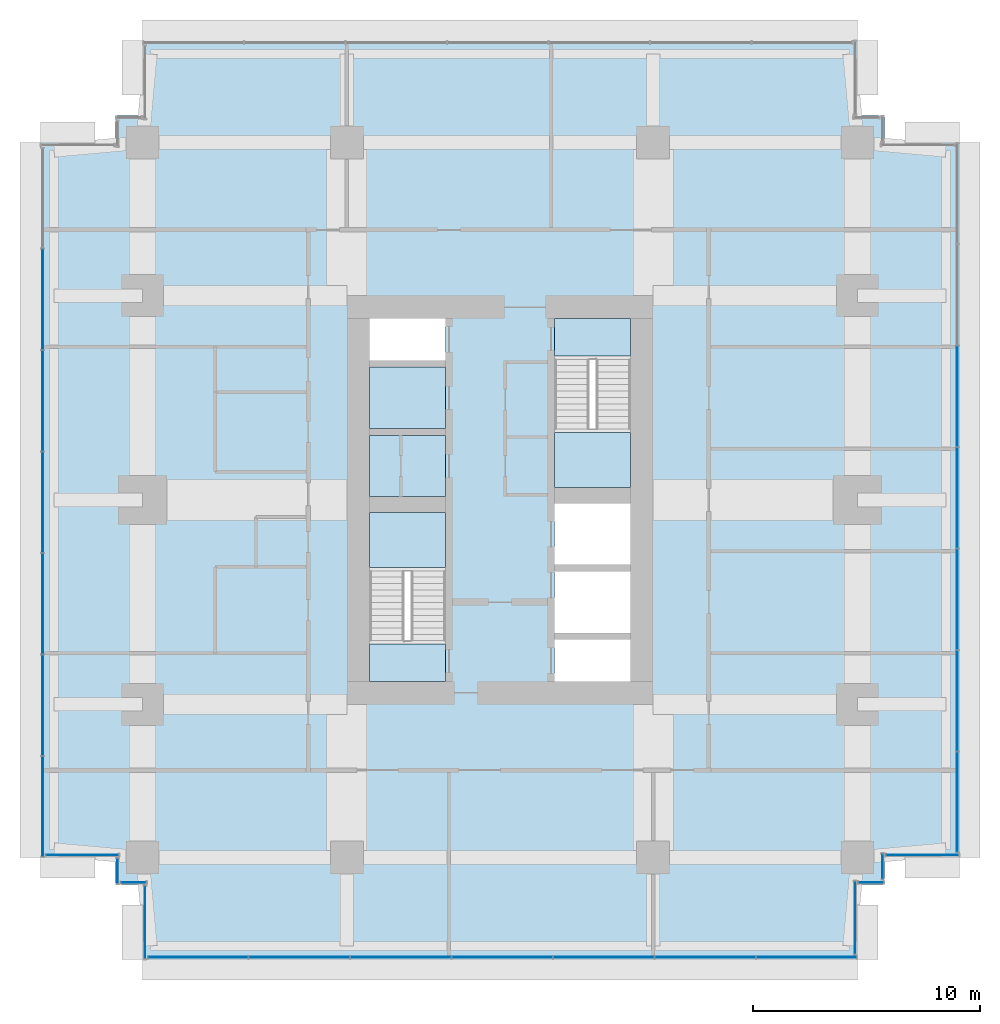
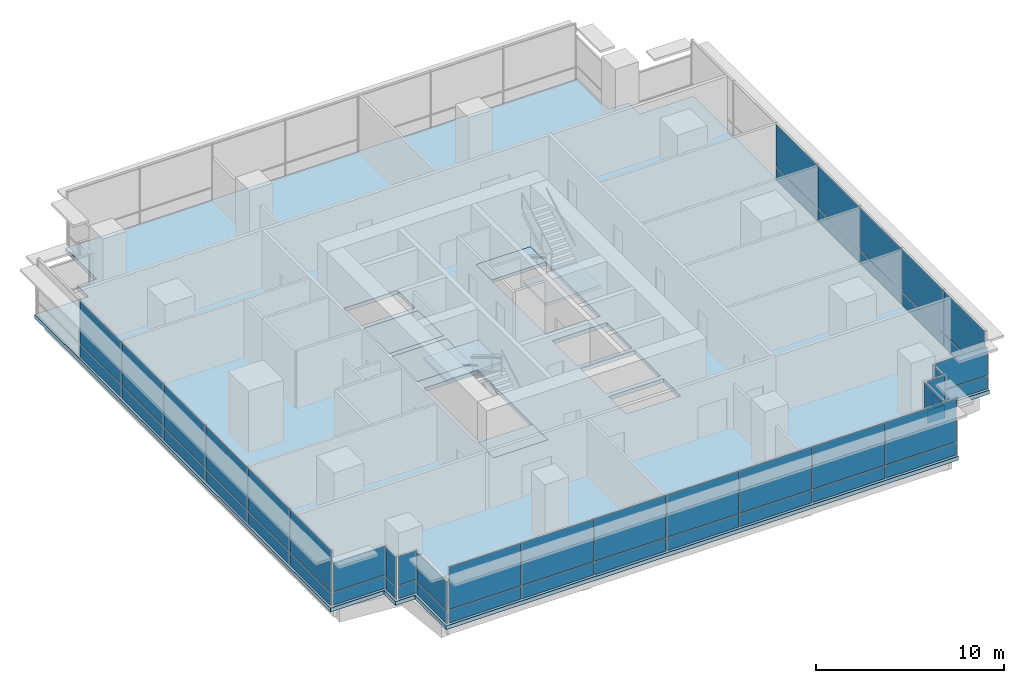
# One storey, part 10 of 14: 52 plates, 7 slabs, 13 elements without a shape of their own.
"""IFC4 building model written with IfcOpenShell, lengths in metres."""

from ifc_helpers import new_model, si_unit, direction, frame, origin, origin_2d, place, context, subcontext, project, spatial, polyline, rectangle, outline, extrude, material, layer, layer_set, type_object, element, aggregate, save


model = new_model("IFC4")

# Units and contexts
model_context = context("Model", 3, precision=1e-05, world=origin(), true_north=direction((0.0, 1.0)))
body_context = subcontext(model_context, "Body", "Model", "MODEL_VIEW")
ifc_project = project(units=[si_unit("LENGTHUNIT", "METRE"), si_unit("AREAUNIT", "SQUARE_METRE"), si_unit("VOLUMEUNIT", "CUBIC_METRE"), si_unit("PLANEANGLEUNIT", "RADIAN"), si_unit("MASSUNIT", "GRAM", prefix="KILO")], contexts=[model_context])

# Site, building, storey
site_placement = place(None, origin())
site = spatial("IfcSite", under=ifc_project, at=site_placement, CompositionType="ELEMENT")
building_placement = place(site_placement, origin())
building = spatial("IfcBuilding", under=site, at=building_placement, Name="Namib Vertical Campus", CompositionType="ELEMENT")
storey_placement = place(building_placement, frame((0.0, 0.0, 269.0)))
storey = spatial("IfcBuildingStorey", under=building, at=storey_placement, Name="L63", CompositionType="ELEMENT", Elevation=269.0)

# Curtain wall, plates
ifc_material_1 = material(Name="Black aluminium curtain wall", Category="aluminium")
ifc_layer_1 = layer(ifc_material_1, 0.199951171875)
ifc_layer_set_1 = layer_set([ifc_layer_1], Name="Lounge bench curtain wall CW-LB")
curtain_wall_type = type_object("IfcCurtainWallType", Name="Lounge bench curtain wall CW-LB", PredefinedType="USERDEFINED", material=ifc_layer_set_1)
curtain_wall_1_placement = place(storey_placement, origin())
curtain_wall_1 = element("IfcCurtainWall", 1, at=curtain_wall_1_placement, inside=storey, type_object=curtain_wall_type, Name="Curtain wall CW-LB L63 F01-1", ObjectType="CURTAIN WALL", PredefinedType="USERDEFINED")
ifc_material_2 = material(Name="Dark tinted glass", Category="glass")
ifc_layer_2 = layer(ifc_material_2, 0.028076171875)
ifc_layer_set_2 = layer_set([ifc_layer_2], Name="Dark solar glass panel 28")
plate_type = type_object("IfcPlateType", Name="Dark solar glass panel 28", PredefinedType="CURTAIN_PANEL", material=ifc_layer_set_2)
plate_1_placement = place(storey_placement, frame((6.95068359375, 0.10009765625, 0.06005859375), z_axis=(0.0, 0.0, 1.0), x_axis=(1.0, 0.0, 0.0)))
plate_1 = element("IfcPlate", 2, at=plate_1_placement, type_object=plate_type, Name="CW-LB panel 1.1", PredefinedType="CURTAIN_PANEL", context=body_context, shape_type="SweptSolid", body=[
    extrude(rectangle(XDim=4.38134765625, YDim=0.028076171875, at=origin_2d()), origin(), (0.0, 0.0, 1.0), 0.81005859375),
])
plate_2_placement = place(storey_placement, frame((6.95068359375, 0.10009765625, 0.93017578125), z_axis=(0.0, 0.0, 1.0), x_axis=(1.0, 0.0, 0.0)))
plate_2 = element("IfcPlate", 3, at=plate_2_placement, type_object=plate_type, Name="CW-LB panel 1.2", PredefinedType="CURTAIN_PANEL", context=body_context, shape_type="SweptSolid", body=[
    extrude(rectangle(XDim=4.38134765625, YDim=0.028076171875, at=origin_2d()), origin(), (0.0, 0.0, 1.0), 2.760009765625),
])
plate_3_placement = place(storey_placement, frame((11.4072265625, 0.10009765625, 0.06005859375), z_axis=(0.0, 0.0, 1.0), x_axis=(1.0, 0.0, 0.0)))
plate_3 = element("IfcPlate", 4, at=plate_3_placement, type_object=plate_type, Name="CW-LB panel 2.1", PredefinedType="CURTAIN_PANEL", context=body_context, shape_type="SweptSolid", body=[
    extrude(rectangle(XDim=4.411376953125, YDim=0.028076171875, at=origin_2d()), origin(), (0.0, 0.0, 1.0), 0.81005859375),
])
plate_4_placement = place(storey_placement, frame((11.4072265625, 0.10009765625, 0.93017578125), z_axis=(0.0, 0.0, 1.0), x_axis=(1.0, 0.0, 0.0)))
plate_4 = element("IfcPlate", 5, at=plate_4_placement, type_object=plate_type, Name="CW-LB panel 2.2", PredefinedType="CURTAIN_PANEL", context=body_context, shape_type="SweptSolid", body=[
    extrude(rectangle(XDim=4.411376953125, YDim=0.028076171875, at=origin_2d()), origin(), (0.0, 0.0, 1.0), 2.760009765625),
])
plate_5_placement = place(storey_placement, frame((15.878662109375, 0.10009765625, 0.06005859375), z_axis=(0.0, 0.0, 1.0), x_axis=(1.0, 0.0, 0.0)))
plate_5 = element("IfcPlate", 6, at=plate_5_placement, type_object=plate_type, Name="CW-LB panel 3.1", PredefinedType="CURTAIN_PANEL", context=body_context, shape_type="SweptSolid", body=[
    extrude(rectangle(XDim=4.411376953125, YDim=0.028076171875, at=origin_2d()), origin(), (0.0, 0.0, 1.0), 0.81005859375),
])
plate_6_placement = place(storey_placement, frame((15.878662109375, 0.10009765625, 0.93017578125), z_axis=(0.0, 0.0, 1.0), x_axis=(1.0, 0.0, 0.0)))
plate_6 = element("IfcPlate", 7, at=plate_6_placement, type_object=plate_type, Name="CW-LB panel 3.2", PredefinedType="CURTAIN_PANEL", context=body_context, shape_type="SweptSolid", body=[
    extrude(rectangle(XDim=4.411376953125, YDim=0.028076171875, at=origin_2d()), origin(), (0.0, 0.0, 1.0), 2.760009765625),
])
plate_7_placement = place(storey_placement, frame((20.35009765625, 0.10009765625, 0.06005859375), z_axis=(0.0, 0.0, 1.0), x_axis=(1.0, 0.0, 0.0)))
plate_7 = element("IfcPlate", 8, at=plate_7_placement, type_object=plate_type, Name="CW-LB panel 4.1", PredefinedType="CURTAIN_PANEL", context=body_context, shape_type="SweptSolid", body=[
    extrude(rectangle(XDim=4.411376953125, YDim=0.028076171875, at=origin_2d()), origin(), (0.0, 0.0, 1.0), 0.81005859375),
])
plate_8_placement = place(storey_placement, frame((20.35009765625, 0.10009765625, 0.93017578125), z_axis=(0.0, 0.0, 1.0), x_axis=(1.0, 0.0, 0.0)))
plate_8 = element("IfcPlate", 9, at=plate_8_placement, type_object=plate_type, Name="CW-LB panel 4.2", PredefinedType="CURTAIN_PANEL", context=body_context, shape_type="SweptSolid", body=[
    extrude(rectangle(XDim=4.411376953125, YDim=0.028076171875, at=origin_2d()), origin(), (0.0, 0.0, 1.0), 2.760009765625),
])
plate_9_placement = place(storey_placement, frame((24.821533203125, 0.10009765625, 0.06005859375), z_axis=(0.0, 0.0, 1.0), x_axis=(1.0, 0.0, 0.0)))
plate_9 = element("IfcPlate", 10, at=plate_9_placement, type_object=plate_type, Name="CW-LB panel 5.1", PredefinedType="CURTAIN_PANEL", context=body_context, shape_type="SweptSolid", body=[
    extrude(rectangle(XDim=4.411376953125, YDim=0.028076171875, at=origin_2d()), origin(), (0.0, 0.0, 1.0), 0.81005859375),
])
plate_10_placement = place(storey_placement, frame((24.821533203125, 0.10009765625, 0.93017578125), z_axis=(0.0, 0.0, 1.0), x_axis=(1.0, 0.0, 0.0)))
plate_10 = element("IfcPlate", 11, at=plate_10_placement, type_object=plate_type, Name="CW-LB panel 5.2", PredefinedType="CURTAIN_PANEL", context=body_context, shape_type="SweptSolid", body=[
    extrude(rectangle(XDim=4.411376953125, YDim=0.028076171875, at=origin_2d()), origin(), (0.0, 0.0, 1.0), 2.760009765625),
])
plate_11_placement = place(storey_placement, frame((29.29296875, 0.10009765625, 0.06005859375), z_axis=(0.0, 0.0, 1.0), x_axis=(1.0, 0.0, 0.0)))
plate_11 = element("IfcPlate", 12, at=plate_11_placement, type_object=plate_type, Name="CW-LB panel 6.1", PredefinedType="CURTAIN_PANEL", context=body_context, shape_type="SweptSolid", body=[
    extrude(rectangle(XDim=4.411376953125, YDim=0.028076171875, at=origin_2d()), origin(), (0.0, 0.0, 1.0), 0.81005859375),
])
plate_12_placement = place(storey_placement, frame((29.29296875, 0.10009765625, 0.93017578125), z_axis=(0.0, 0.0, 1.0), x_axis=(1.0, 0.0, 0.0)))
plate_12 = element("IfcPlate", 13, at=plate_12_placement, type_object=plate_type, Name="CW-LB panel 6.2", PredefinedType="CURTAIN_PANEL", context=body_context, shape_type="SweptSolid", body=[
    extrude(rectangle(XDim=4.411376953125, YDim=0.028076171875, at=origin_2d()), origin(), (0.0, 0.0, 1.0), 2.760009765625),
])
plate_13_placement = place(storey_placement, frame((33.749267578125, 0.10009765625, 0.06005859375), z_axis=(0.0, 0.0, 1.0), x_axis=(1.0, 0.0, 0.0)))
plate_13 = element("IfcPlate", 14, at=plate_13_placement, type_object=plate_type, Name="CW-LB panel 7.1", PredefinedType="CURTAIN_PANEL", context=body_context, shape_type="SweptSolid", body=[
    extrude(rectangle(XDim=4.38134765625, YDim=0.028076171875, at=origin_2d()), origin(), (0.0, 0.0, 1.0), 0.81005859375),
])
plate_14_placement = place(storey_placement, frame((33.749267578125, 0.10009765625, 0.93017578125), z_axis=(0.0, 0.0, 1.0), x_axis=(1.0, 0.0, 0.0)))
plate_14 = element("IfcPlate", 15, at=plate_14_placement, type_object=plate_type, Name="CW-LB panel 7.2", PredefinedType="CURTAIN_PANEL", context=body_context, shape_type="SweptSolid", body=[
    extrude(rectangle(XDim=4.38134765625, YDim=0.028076171875, at=origin_2d()), origin(), (0.0, 0.0, 1.0), 2.760009765625),
])
aggregate(curtain_wall_1, [plate_1, plate_2, plate_3, plate_4, plate_5, plate_6, plate_7, plate_8, plate_9, plate_10, plate_11, plate_12, plate_13, plate_14])

curtain_wall_2_placement = place(storey_placement, origin())
curtain_wall_2 = element("IfcCurtainWall", 16, at=curtain_wall_2_placement, inside=storey, type_object=curtain_wall_type, Name="Curtain wall CW-LB L63 F02-1", ObjectType="CURTAIN WALL", PredefinedType="USERDEFINED")
plate_15_placement = place(storey_placement, frame((35.89990234375, 1.85009765625, 0.06005859375), z_axis=(0.0, 0.0, 1.0), x_axis=(0.0, 1.0, 0.0)))
plate_15 = element("IfcPlate", 17, at=plate_15_placement, type_object=plate_type, Name="CW-LB panel 1.1", PredefinedType="CURTAIN_PANEL", context=body_context, shape_type="SweptSolid", body=[
    extrude(rectangle(XDim=3.179931640625, YDim=0.028076171875, at=origin_2d()), origin(), (0.0, 0.0, 1.0), 0.81005859375),
])
plate_16_placement = place(storey_placement, frame((35.89990234375, 1.85009765625, 0.93017578125), z_axis=(0.0, 0.0, 1.0), x_axis=(0.0, 1.0, 0.0)))
plate_16 = element("IfcPlate", 18, at=plate_16_placement, type_object=plate_type, Name="CW-LB panel 1.2", PredefinedType="CURTAIN_PANEL", context=body_context, shape_type="SweptSolid", body=[
    extrude(rectangle(XDim=3.179931640625, YDim=0.028076171875, at=origin_2d()), origin(), (0.0, 0.0, 1.0), 1.860107421875),
])
aggregate(curtain_wall_2, [plate_15, plate_16])

curtain_wall_3_placement = place(storey_placement, origin())
curtain_wall_3 = element("IfcCurtainWall", 19, at=curtain_wall_3_placement, inside=storey, type_object=curtain_wall_type, Name="Curtain wall CW-LB L63 F03-1", ObjectType="CURTAIN WALL", PredefinedType="USERDEFINED")
plate_17_placement = place(storey_placement, frame((36.60009765625, 3.39990234375, 0.06005859375), z_axis=(0.0, 0.0, 1.0), x_axis=(1.0, 0.0, 0.0)))
plate_17 = element("IfcPlate", 20, at=plate_17_placement, type_object=plate_type, Name="CW-LB panel 1.1", PredefinedType="CURTAIN_PANEL", context=body_context, shape_type="SweptSolid", body=[
    extrude(rectangle(XDim=1.080078125, YDim=0.028076171875, at=origin_2d()), origin(), (0.0, 0.0, 1.0), 0.81005859375),
])
plate_18_placement = place(storey_placement, frame((36.60009765625, 3.39990234375, 0.93017578125), z_axis=(0.0, 0.0, 1.0), x_axis=(1.0, 0.0, 0.0)))
plate_18 = element("IfcPlate", 21, at=plate_18_placement, type_object=plate_type, Name="CW-LB panel 1.2", PredefinedType="CURTAIN_PANEL", context=body_context, shape_type="SweptSolid", body=[
    extrude(rectangle(XDim=1.080078125, YDim=0.028076171875, at=origin_2d()), origin(), (0.0, 0.0, 1.0), 1.860107421875),
])
aggregate(curtain_wall_3, [plate_17, plate_18])

curtain_wall_4_placement = place(storey_placement, origin())
curtain_wall_4 = element("IfcCurtainWall", 22, at=curtain_wall_4_placement, inside=storey, type_object=curtain_wall_type, Name="Curtain wall CW-LB L63 F04-1", ObjectType="CURTAIN WALL", PredefinedType="USERDEFINED")
plate_19_placement = place(storey_placement, frame((37.10009765625, 4.10009765625, 0.06005859375), z_axis=(0.0, 0.0, 1.0), x_axis=(0.0, 1.0, 0.0)))
plate_19 = element("IfcPlate", 23, at=plate_19_placement, type_object=plate_type, Name="CW-LB panel 1.1", PredefinedType="CURTAIN_PANEL", context=body_context, shape_type="SweptSolid", body=[
    extrude(rectangle(XDim=1.080078125, YDim=0.028076171875, at=origin_2d()), origin(), (0.0, 0.0, 1.0), 0.81005859375),
])
plate_20_placement = place(storey_placement, frame((37.10009765625, 4.10009765625, 0.93017578125), z_axis=(0.0, 0.0, 1.0), x_axis=(0.0, 1.0, 0.0)))
plate_20 = element("IfcPlate", 24, at=plate_20_placement, type_object=plate_type, Name="CW-LB panel 1.2", PredefinedType="CURTAIN_PANEL", context=body_context, shape_type="SweptSolid", body=[
    extrude(rectangle(XDim=1.080078125, YDim=0.028076171875, at=origin_2d()), origin(), (0.0, 0.0, 1.0), 1.860107421875),
])
aggregate(curtain_wall_4, [plate_19, plate_20])

curtain_wall_5_placement = place(storey_placement, origin())
curtain_wall_5 = element("IfcCurtainWall", 25, at=curtain_wall_5_placement, inside=storey, type_object=curtain_wall_type, Name="Curtain wall CW-LB L63 F05-1", ObjectType="CURTAIN WALL", PredefinedType="USERDEFINED")
plate_21_placement = place(storey_placement, frame((38.85009765625, 4.60009765625, 0.06005859375), z_axis=(0.0, 0.0, 1.0), x_axis=(1.0, 0.0, 0.0)))
plate_21 = element("IfcPlate", 26, at=plate_21_placement, type_object=plate_type, Name="CW-LB panel 1.1", PredefinedType="CURTAIN_PANEL", context=body_context, shape_type="SweptSolid", body=[
    extrude(rectangle(XDim=3.179931640625, YDim=0.028076171875, at=origin_2d()), origin(), (0.0, 0.0, 1.0), 0.81005859375),
])
plate_22_placement = place(storey_placement, frame((38.85009765625, 4.60009765625, 0.93017578125), z_axis=(0.0, 0.0, 1.0), x_axis=(1.0, 0.0, 0.0)))
plate_22 = element("IfcPlate", 27, at=plate_22_placement, type_object=plate_type, Name="CW-LB panel 1.2", PredefinedType="CURTAIN_PANEL", context=body_context, shape_type="SweptSolid", body=[
    extrude(rectangle(XDim=3.179931640625, YDim=0.028076171875, at=origin_2d()), origin(), (0.0, 0.0, 1.0), 1.860107421875),
])
aggregate(curtain_wall_5, [plate_21, plate_22])

curtain_wall_6_placement = place(storey_placement, origin())
curtain_wall_6 = element("IfcCurtainWall", 28, at=curtain_wall_6_placement, inside=storey, type_object=curtain_wall_type, Name="Curtain wall CW-LB L63 F06-1", ObjectType="CURTAIN WALL", PredefinedType="USERDEFINED")
plate_23_placement = place(storey_placement, frame((40.39990234375, 6.95068359375, 0.06005859375), z_axis=(0.0, 0.0, 1.0), x_axis=(0.0, 1.0, 0.0)))
plate_23 = element("IfcPlate", 29, at=plate_23_placement, type_object=plate_type, Name="CW-LB panel 1.1", PredefinedType="CURTAIN_PANEL", context=body_context, shape_type="SweptSolid", body=[
    extrude(rectangle(XDim=4.38134765625, YDim=0.028076171875, at=origin_2d()), origin(), (0.0, 0.0, 1.0), 0.81005859375),
])
plate_24_placement = place(storey_placement, frame((40.39990234375, 6.95068359375, 0.93017578125), z_axis=(0.0, 0.0, 1.0), x_axis=(0.0, 1.0, 0.0)))
plate_24 = element("IfcPlate", 30, at=plate_24_placement, type_object=plate_type, Name="CW-LB panel 1.2", PredefinedType="CURTAIN_PANEL", context=body_context, shape_type="SweptSolid", body=[
    extrude(rectangle(XDim=4.38134765625, YDim=0.028076171875, at=origin_2d()), origin(), (0.0, 0.0, 1.0), 2.760009765625),
])
plate_25_placement = place(storey_placement, frame((40.39990234375, 11.4072265625, 0.06005859375), z_axis=(0.0, 0.0, 1.0), x_axis=(0.0, 1.0, 0.0)))
plate_25 = element("IfcPlate", 31, at=plate_25_placement, type_object=plate_type, Name="CW-LB panel 2.1", PredefinedType="CURTAIN_PANEL", context=body_context, shape_type="SweptSolid", body=[
    extrude(rectangle(XDim=4.411376953125, YDim=0.028076171875, at=origin_2d()), origin(), (0.0, 0.0, 1.0), 0.81005859375),
])
plate_26_placement = place(storey_placement, frame((40.39990234375, 11.4072265625, 0.93017578125), z_axis=(0.0, 0.0, 1.0), x_axis=(0.0, 1.0, 0.0)))
plate_26 = element("IfcPlate", 32, at=plate_26_placement, type_object=plate_type, Name="CW-LB panel 2.2", PredefinedType="CURTAIN_PANEL", context=body_context, shape_type="SweptSolid", body=[
    extrude(rectangle(XDim=4.411376953125, YDim=0.028076171875, at=origin_2d()), origin(), (0.0, 0.0, 1.0), 2.760009765625),
])
plate_27_placement = place(storey_placement, frame((40.39990234375, 15.878662109375, 0.06005859375), z_axis=(0.0, 0.0, 1.0), x_axis=(0.0, 1.0, 0.0)))
plate_27 = element("IfcPlate", 33, at=plate_27_placement, type_object=plate_type, Name="CW-LB panel 3.1", PredefinedType="CURTAIN_PANEL", context=body_context, shape_type="SweptSolid", body=[
    extrude(rectangle(XDim=4.411376953125, YDim=0.028076171875, at=origin_2d()), origin(), (0.0, 0.0, 1.0), 0.81005859375),
])
plate_28_placement = place(storey_placement, frame((40.39990234375, 15.878662109375, 0.93017578125), z_axis=(0.0, 0.0, 1.0), x_axis=(0.0, 1.0, 0.0)))
plate_28 = element("IfcPlate", 34, at=plate_28_placement, type_object=plate_type, Name="CW-LB panel 3.2", PredefinedType="CURTAIN_PANEL", context=body_context, shape_type="SweptSolid", body=[
    extrude(rectangle(XDim=4.411376953125, YDim=0.028076171875, at=origin_2d()), origin(), (0.0, 0.0, 1.0), 2.760009765625),
])
plate_29_placement = place(storey_placement, frame((40.39990234375, 20.35009765625, 0.06005859375), z_axis=(0.0, 0.0, 1.0), x_axis=(0.0, 1.0, 0.0)))
plate_29 = element("IfcPlate", 35, at=plate_29_placement, type_object=plate_type, Name="CW-LB panel 4.1", PredefinedType="CURTAIN_PANEL", context=body_context, shape_type="SweptSolid", body=[
    extrude(rectangle(XDim=4.411376953125, YDim=0.028076171875, at=origin_2d()), origin(), (0.0, 0.0, 1.0), 0.81005859375),
])
plate_30_placement = place(storey_placement, frame((40.39990234375, 20.35009765625, 0.93017578125), z_axis=(0.0, 0.0, 1.0), x_axis=(0.0, 1.0, 0.0)))
plate_30 = element("IfcPlate", 36, at=plate_30_placement, type_object=plate_type, Name="CW-LB panel 4.2", PredefinedType="CURTAIN_PANEL", context=body_context, shape_type="SweptSolid", body=[
    extrude(rectangle(XDim=4.411376953125, YDim=0.028076171875, at=origin_2d()), origin(), (0.0, 0.0, 1.0), 2.760009765625),
])
plate_31_placement = place(storey_placement, frame((40.39990234375, 24.821533203125, 0.06005859375), z_axis=(0.0, 0.0, 1.0), x_axis=(0.0, 1.0, 0.0)))
plate_31 = element("IfcPlate", 37, at=plate_31_placement, type_object=plate_type, Name="CW-LB panel 5.1", PredefinedType="CURTAIN_PANEL", context=body_context, shape_type="SweptSolid", body=[
    extrude(rectangle(XDim=4.411376953125, YDim=0.028076171875, at=origin_2d()), origin(), (0.0, 0.0, 1.0), 0.81005859375),
])
plate_32_placement = place(storey_placement, frame((40.39990234375, 24.821533203125, 0.93017578125), z_axis=(0.0, 0.0, 1.0), x_axis=(0.0, 1.0, 0.0)))
plate_32 = element("IfcPlate", 38, at=plate_32_placement, type_object=plate_type, Name="CW-LB panel 5.2", PredefinedType="CURTAIN_PANEL", context=body_context, shape_type="SweptSolid", body=[
    extrude(rectangle(XDim=4.411376953125, YDim=0.028076171875, at=origin_2d()), origin(), (0.0, 0.0, 1.0), 2.760009765625),
])
aggregate(curtain_wall_6, [plate_23, plate_24, plate_25, plate_26, plate_27, plate_28, plate_29, plate_30, plate_31, plate_32])

curtain_wall_7_placement = place(storey_placement, origin())
curtain_wall_7 = element("IfcCurtainWall", 39, at=curtain_wall_7_placement, inside=storey, type_object=curtain_wall_type, Name="Curtain wall CW-LB L63 F16-1", ObjectType="CURTAIN WALL", PredefinedType="USERDEFINED")
plate_33_placement = place(storey_placement, frame((0.10009765625, 29.0927734375, 0.06005859375), z_axis=(0.0, 0.0, 1.0), x_axis=(0.0, -1.0, 0.0)))
plate_33 = element("IfcPlate", 40, at=plate_33_placement, type_object=plate_type, Name="CW-LB panel 2.1", PredefinedType="CURTAIN_PANEL", context=body_context, shape_type="SweptSolid", body=[
    extrude(rectangle(XDim=4.411376953125, YDim=0.028076171875, at=origin_2d()), origin(), (0.0, 0.0, 1.0), 0.81005859375),
])
plate_34_placement = place(storey_placement, frame((0.10009765625, 29.0927734375, 0.93017578125), z_axis=(0.0, 0.0, 1.0), x_axis=(0.0, -1.0, 0.0)))
plate_34 = element("IfcPlate", 41, at=plate_34_placement, type_object=plate_type, Name="CW-LB panel 2.2", PredefinedType="CURTAIN_PANEL", context=body_context, shape_type="SweptSolid", body=[
    extrude(rectangle(XDim=4.411376953125, YDim=0.028076171875, at=origin_2d()), origin(), (0.0, 0.0, 1.0), 2.760009765625),
])
plate_35_placement = place(storey_placement, frame((0.10009765625, 24.621337890625, 0.06005859375), z_axis=(0.0, 0.0, 1.0), x_axis=(0.0, -1.0, 0.0)))
plate_35 = element("IfcPlate", 42, at=plate_35_placement, type_object=plate_type, Name="CW-LB panel 3.1", PredefinedType="CURTAIN_PANEL", context=body_context, shape_type="SweptSolid", body=[
    extrude(rectangle(XDim=4.411376953125, YDim=0.028076171875, at=origin_2d()), origin(), (0.0, 0.0, 1.0), 0.81005859375),
])
plate_36_placement = place(storey_placement, frame((0.10009765625, 24.621337890625, 0.93017578125), z_axis=(0.0, 0.0, 1.0), x_axis=(0.0, -1.0, 0.0)))
plate_36 = element("IfcPlate", 43, at=plate_36_placement, type_object=plate_type, Name="CW-LB panel 3.2", PredefinedType="CURTAIN_PANEL", context=body_context, shape_type="SweptSolid", body=[
    extrude(rectangle(XDim=4.411376953125, YDim=0.028076171875, at=origin_2d()), origin(), (0.0, 0.0, 1.0), 2.760009765625),
])
plate_37_placement = place(storey_placement, frame((0.10009765625, 20.14990234375, 0.06005859375), z_axis=(0.0, 0.0, 1.0), x_axis=(0.0, -1.0, 0.0)))
plate_37 = element("IfcPlate", 44, at=plate_37_placement, type_object=plate_type, Name="CW-LB panel 4.1", PredefinedType="CURTAIN_PANEL", context=body_context, shape_type="SweptSolid", body=[
    extrude(rectangle(XDim=4.411376953125, YDim=0.028076171875, at=origin_2d()), origin(), (0.0, 0.0, 1.0), 0.81005859375),
])
plate_38_placement = place(storey_placement, frame((0.10009765625, 20.14990234375, 0.93017578125), z_axis=(0.0, 0.0, 1.0), x_axis=(0.0, -1.0, 0.0)))
plate_38 = element("IfcPlate", 45, at=plate_38_placement, type_object=plate_type, Name="CW-LB panel 4.2", PredefinedType="CURTAIN_PANEL", context=body_context, shape_type="SweptSolid", body=[
    extrude(rectangle(XDim=4.411376953125, YDim=0.028076171875, at=origin_2d()), origin(), (0.0, 0.0, 1.0), 2.760009765625),
])
plate_39_placement = place(storey_placement, frame((0.10009765625, 15.678466796875, 0.06005859375), z_axis=(0.0, 0.0, 1.0), x_axis=(0.0, -1.0, 0.0)))
plate_39 = element("IfcPlate", 46, at=plate_39_placement, type_object=plate_type, Name="CW-LB panel 5.1", PredefinedType="CURTAIN_PANEL", context=body_context, shape_type="SweptSolid", body=[
    extrude(rectangle(XDim=4.411376953125, YDim=0.028076171875, at=origin_2d()), origin(), (0.0, 0.0, 1.0), 0.81005859375),
])
plate_40_placement = place(storey_placement, frame((0.10009765625, 15.678466796875, 0.93017578125), z_axis=(0.0, 0.0, 1.0), x_axis=(0.0, -1.0, 0.0)))
plate_40 = element("IfcPlate", 47, at=plate_40_placement, type_object=plate_type, Name="CW-LB panel 5.2", PredefinedType="CURTAIN_PANEL", context=body_context, shape_type="SweptSolid", body=[
    extrude(rectangle(XDim=4.411376953125, YDim=0.028076171875, at=origin_2d()), origin(), (0.0, 0.0, 1.0), 2.760009765625),
])
plate_41_placement = place(storey_placement, frame((0.10009765625, 11.20703125, 0.06005859375), z_axis=(0.0, 0.0, 1.0), x_axis=(0.0, -1.0, 0.0)))
plate_41 = element("IfcPlate", 48, at=plate_41_placement, type_object=plate_type, Name="CW-LB panel 6.1", PredefinedType="CURTAIN_PANEL", context=body_context, shape_type="SweptSolid", body=[
    extrude(rectangle(XDim=4.411376953125, YDim=0.028076171875, at=origin_2d()), origin(), (0.0, 0.0, 1.0), 0.81005859375),
])
plate_42_placement = place(storey_placement, frame((0.10009765625, 11.20703125, 0.93017578125), z_axis=(0.0, 0.0, 1.0), x_axis=(0.0, -1.0, 0.0)))
plate_42 = element("IfcPlate", 49, at=plate_42_placement, type_object=plate_type, Name="CW-LB panel 6.2", PredefinedType="CURTAIN_PANEL", context=body_context, shape_type="SweptSolid", body=[
    extrude(rectangle(XDim=4.411376953125, YDim=0.028076171875, at=origin_2d()), origin(), (0.0, 0.0, 1.0), 2.760009765625),
])
plate_43_placement = place(storey_placement, frame((0.10009765625, 6.750732421875, 0.06005859375), z_axis=(0.0, 0.0, 1.0), x_axis=(0.0, -1.0, 0.0)))
plate_43 = element("IfcPlate", 50, at=plate_43_placement, type_object=plate_type, Name="CW-LB panel 7.1", PredefinedType="CURTAIN_PANEL", context=body_context, shape_type="SweptSolid", body=[
    extrude(rectangle(XDim=4.38134765625, YDim=0.028076171875, at=origin_2d()), origin(), (0.0, 0.0, 1.0), 0.81005859375),
])
plate_44_placement = place(storey_placement, frame((0.10009765625, 6.750732421875, 0.93017578125), z_axis=(0.0, 0.0, 1.0), x_axis=(0.0, -1.0, 0.0)))
plate_44 = element("IfcPlate", 51, at=plate_44_placement, type_object=plate_type, Name="CW-LB panel 7.2", PredefinedType="CURTAIN_PANEL", context=body_context, shape_type="SweptSolid", body=[
    extrude(rectangle(XDim=4.38134765625, YDim=0.028076171875, at=origin_2d()), origin(), (0.0, 0.0, 1.0), 2.760009765625),
])
aggregate(curtain_wall_7, [plate_33, plate_34, plate_35, plate_36, plate_37, plate_38, plate_39, plate_40, plate_41, plate_42, plate_43, plate_44])

curtain_wall_8_placement = place(storey_placement, origin())
curtain_wall_8 = element("IfcCurtainWall", 52, at=curtain_wall_8_placement, inside=storey, type_object=curtain_wall_type, Name="Curtain wall CW-LB L63 F17-1", ObjectType="CURTAIN WALL", PredefinedType="USERDEFINED")
plate_45_placement = place(storey_placement, frame((1.85009765625, 4.60009765625, 0.06005859375), z_axis=(0.0, 0.0, 1.0), x_axis=(1.0, 0.0, 0.0)))
plate_45 = element("IfcPlate", 53, at=plate_45_placement, type_object=plate_type, Name="CW-LB panel 1.1", PredefinedType="CURTAIN_PANEL", context=body_context, shape_type="SweptSolid", body=[
    extrude(rectangle(XDim=3.179931640625, YDim=0.028076171875, at=origin_2d()), origin(), (0.0, 0.0, 1.0), 0.81005859375),
])
plate_46_placement = place(storey_placement, frame((1.85009765625, 4.60009765625, 0.93017578125), z_axis=(0.0, 0.0, 1.0), x_axis=(1.0, 0.0, 0.0)))
plate_46 = element("IfcPlate", 54, at=plate_46_placement, type_object=plate_type, Name="CW-LB panel 1.2", PredefinedType="CURTAIN_PANEL", context=body_context, shape_type="SweptSolid", body=[
    extrude(rectangle(XDim=3.179931640625, YDim=0.028076171875, at=origin_2d()), origin(), (0.0, 0.0, 1.0), 1.860107421875),
])
aggregate(curtain_wall_8, [plate_45, plate_46])

curtain_wall_9_placement = place(storey_placement, origin())
curtain_wall_9 = element("IfcCurtainWall", 55, at=curtain_wall_9_placement, inside=storey, type_object=curtain_wall_type, Name="Curtain wall CW-LB L63 F18-1", ObjectType="CURTAIN WALL", PredefinedType="USERDEFINED")
plate_47_placement = place(storey_placement, frame((3.39990234375, 3.89990234375, 0.06005859375), z_axis=(0.0, 0.0, 1.0), x_axis=(0.0, -1.0, 0.0)))
plate_47 = element("IfcPlate", 56, at=plate_47_placement, type_object=plate_type, Name="CW-LB panel 1.1", PredefinedType="CURTAIN_PANEL", context=body_context, shape_type="SweptSolid", body=[
    extrude(rectangle(XDim=1.080078125, YDim=0.028076171875, at=origin_2d()), origin(), (0.0, 0.0, 1.0), 0.81005859375),
])
plate_48_placement = place(storey_placement, frame((3.39990234375, 3.89990234375, 0.93017578125), z_axis=(0.0, 0.0, 1.0), x_axis=(0.0, -1.0, 0.0)))
plate_48 = element("IfcPlate", 57, at=plate_48_placement, type_object=plate_type, Name="CW-LB panel 1.2", PredefinedType="CURTAIN_PANEL", context=body_context, shape_type="SweptSolid", body=[
    extrude(rectangle(XDim=1.080078125, YDim=0.028076171875, at=origin_2d()), origin(), (0.0, 0.0, 1.0), 1.860107421875),
])
aggregate(curtain_wall_9, [plate_47, plate_48])

curtain_wall_10_placement = place(storey_placement, origin())
curtain_wall_10 = element("IfcCurtainWall", 58, at=curtain_wall_10_placement, inside=storey, type_object=curtain_wall_type, Name="Curtain wall CW-LB L63 F19-1", ObjectType="CURTAIN WALL", PredefinedType="USERDEFINED")
plate_49_placement = place(storey_placement, frame((4.10009765625, 3.39990234375, 0.06005859375), z_axis=(0.0, 0.0, 1.0), x_axis=(1.0, 0.0, 0.0)))
plate_49 = element("IfcPlate", 59, at=plate_49_placement, type_object=plate_type, Name="CW-LB panel 1.1", PredefinedType="CURTAIN_PANEL", context=body_context, shape_type="SweptSolid", body=[
    extrude(rectangle(XDim=1.080078125, YDim=0.028076171875, at=origin_2d()), origin(), (0.0, 0.0, 1.0), 0.81005859375),
])
plate_50_placement = place(storey_placement, frame((4.10009765625, 3.39990234375, 0.93017578125), z_axis=(0.0, 0.0, 1.0), x_axis=(1.0, 0.0, 0.0)))
plate_50 = element("IfcPlate", 60, at=plate_50_placement, type_object=plate_type, Name="CW-LB panel 1.2", PredefinedType="CURTAIN_PANEL", context=body_context, shape_type="SweptSolid", body=[
    extrude(rectangle(XDim=1.080078125, YDim=0.028076171875, at=origin_2d()), origin(), (0.0, 0.0, 1.0), 1.860107421875),
])
aggregate(curtain_wall_10, [plate_49, plate_50])

curtain_wall_11_placement = place(storey_placement, origin())
curtain_wall_11 = element("IfcCurtainWall", 61, at=curtain_wall_11_placement, inside=storey, type_object=curtain_wall_type, Name="Curtain wall CW-LB L63 F20-1", ObjectType="CURTAIN WALL", PredefinedType="USERDEFINED")
plate_51_placement = place(storey_placement, frame((4.60009765625, 1.64990234375, 0.06005859375), z_axis=(0.0, 0.0, 1.0), x_axis=(0.0, -1.0, 0.0)))
plate_51 = element("IfcPlate", 62, at=plate_51_placement, type_object=plate_type, Name="CW-LB panel 1.1", PredefinedType="CURTAIN_PANEL", context=body_context, shape_type="SweptSolid", body=[
    extrude(rectangle(XDim=3.179931640625, YDim=0.028076171875, at=origin_2d()), origin(), (0.0, 0.0, 1.0), 0.81005859375),
])
plate_52_placement = place(storey_placement, frame((4.60009765625, 1.64990234375, 0.93017578125), z_axis=(0.0, 0.0, 1.0), x_axis=(0.0, -1.0, 0.0)))
plate_52 = element("IfcPlate", 63, at=plate_52_placement, type_object=plate_type, Name="CW-LB panel 1.2", PredefinedType="CURTAIN_PANEL", context=body_context, shape_type="SweptSolid", body=[
    extrude(rectangle(XDim=3.179931640625, YDim=0.028076171875, at=origin_2d()), origin(), (0.0, 0.0, 1.0), 1.860107421875),
])
aggregate(curtain_wall_11, [plate_51, plate_52])

# Slabs
ifc_material_3 = material(Name="Concrete C40/50", Category="concrete")
ifc_layer_3 = layer(ifc_material_3, 0.25)
ifc_layer_set_3 = layer_set([ifc_layer_3], Name="Concrete C40/50")
slab_type_1 = type_object("IfcSlabType", Name="Floor slab 250", PredefinedType="FLOOR", material=ifc_layer_set_3)
slab_1_placement = place(storey_placement, frame((0.0, 0.0, -0.25)))
element("IfcSlab", 64, at=slab_1_placement, inside=storey, type_object=slab_type_1, Name="Floor slab A L63", PredefinedType="FLOOR", context=body_context, shape_type="SweptSolid", body=[
    extrude(outline(polyline([(4.5, 0.0), (36.0, 0.0), (36.0, 3.300048828125), (37.199951171875, 3.300048828125), (37.199951171875, 4.5), (40.5, 4.5), (40.5, 36.0), (37.199951171875, 36.0), (37.199951171875, 37.199951171875), (36.0, 37.199951171875), (36.0, 40.5), (4.5, 40.5), (4.5, 37.199951171875), (3.300048828125, 37.199951171875), (3.300048828125, 36.0), (0.0, 36.0), (0.0, 4.5), (3.300048828125, 4.5), (3.300048828125, 3.300048828125), (4.5, 3.300048828125), (4.5, 0.0)]), holes=[polyline([(14.5, 12.25), (17.85009765625, 12.25), (17.85009765625, 19.699951171875), (14.5, 19.699951171875), (14.5, 12.25)]), polyline([(22.64990234375, 20.800048828125), (26.0, 20.800048828125), (26.0, 28.25), (22.64990234375, 28.25), (22.64990234375, 20.800048828125)]), polyline([(22.64990234375, 12.25), (26.0, 12.25), (26.0, 14.10009765625), (22.64990234375, 14.10009765625), (22.64990234375, 12.25)]), polyline([(14.5, 20.39990234375), (17.85009765625, 20.39990234375), (17.85009765625, 23.10009765625), (14.5, 23.10009765625), (14.5, 20.39990234375)]), polyline([(14.5, 23.39990234375), (17.85009765625, 23.39990234375), (17.85009765625, 26.10009765625), (14.5, 26.10009765625), (14.5, 23.39990234375)]), polyline([(14.5, 26.39990234375), (17.85009765625, 26.39990234375), (17.85009765625, 28.25), (14.5, 28.25), (14.5, 26.39990234375)]), polyline([(22.64990234375, 14.39990234375), (26.0, 14.39990234375), (26.0, 17.10009765625), (22.64990234375, 17.10009765625), (22.64990234375, 14.39990234375)]), polyline([(22.64990234375, 17.39990234375), (26.0, 17.39990234375), (26.0, 20.10009765625), (22.64990234375, 20.10009765625), (22.64990234375, 17.39990234375)])]), origin(), (0.0, 0.0, 1.0), 0.25),
])
ifc_material_4 = material(Name="Concrete C40/50 precast", Category="concrete")
ifc_layer_4 = layer(ifc_material_4, 0.25)
ifc_layer_set_4 = layer_set([ifc_layer_4], Name="Concrete C40/50 precast")
slab_type_2 = type_object("IfcSlabType", Name="Shaft infill floor 250", PredefinedType="FLOOR", material=ifc_layer_set_4)
slab_2_placement = place(storey_placement, frame((0.0, 0.0, -0.25)))
element("IfcSlab", 65, at=slab_2_placement, inside=storey, type_object=slab_type_2, Name="Shaft infill floor A L63 P1", PredefinedType="FLOOR", context=body_context, shape_type="SweptSolid", body=[
    extrude(outline(polyline([(14.5, 20.39990234375), (17.85009765625, 20.39990234375), (17.85009765625, 23.10009765625), (14.5, 23.10009765625), (14.5, 20.39990234375)])), origin(), (0.0, 0.0, 1.0), 0.25),
])
slab_3_placement = place(storey_placement, frame((0.0, 0.0, -0.25)))
element("IfcSlab", 66, at=slab_3_placement, inside=storey, type_object=slab_type_2, Name="Shaft infill floor A L63 P2", PredefinedType="FLOOR", context=body_context, shape_type="SweptSolid", body=[
    extrude(outline(polyline([(14.5, 23.39990234375), (17.85009765625, 23.39990234375), (17.85009765625, 26.10009765625), (14.5, 26.10009765625), (14.5, 23.39990234375)])), origin(), (0.0, 0.0, 1.0), 0.25),
])

# Stair, slabs
ifc_material_5 = material(Name="Concrete C40/50 precast", Category="concrete")
stair_type = type_object("IfcStairType", Name="Exit stair 4000 rise 24 risers 3350 wide", PredefinedType="HALF_TURN_STAIR", material=ifc_material_5)
stair_1_placement = place(storey_placement, origin())
stair_1 = element("IfcStair", 67, at=stair_1_placement, inside=storey, type_object=stair_type, Name="Exit stair A-S1 L63", PredefinedType="HALF_TURN_STAIR")
ifc_material_6 = material(Name="Concrete C40/50", Category="concrete")
ifc_layer_5 = layer(ifc_material_6, 0.199951171875)
ifc_layer_set_5 = layer_set([ifc_layer_5], Name="Concrete C40/50")
slab_type_3 = type_object("IfcSlabType", Name="Stair landing 200", PredefinedType="LANDING", material=ifc_layer_set_5)
slab_4_placement = place(storey_placement, frame((0.0, 0.0, -0.199951171875)))
slab_4 = element("IfcSlab", 68, at=slab_4_placement, type_object=slab_type_3, Name="A-S1 landing 1", PredefinedType="LANDING", context=body_context, shape_type="SweptSolid", body=[
    extrude(outline(polyline([(14.5, 12.25), (17.85009765625, 12.25), (17.85009765625, 13.90380859375), (14.5, 13.90380859375), (14.5, 12.25)])), origin(), (0.0, 0.0, 1.0), 0.199951171875),
])
slab_5_placement = place(storey_placement, frame((0.0, 0.0, 1.800048828125)))
slab_5 = element("IfcSlab", 69, at=slab_5_placement, type_object=slab_type_3, Name="A-S1 landing 2", PredefinedType="LANDING", context=body_context, shape_type="SweptSolid", body=[
    extrude(outline(polyline([(14.5, 17.276123046875), (17.85009765625, 17.276123046875), (17.85009765625, 19.699951171875), (14.5, 19.699951171875), (14.5, 17.276123046875)])), origin(), (0.0, 0.0, 1.0), 0.199951171875),
])
aggregate(stair_1, [slab_4, slab_5])

stair_2_placement = place(storey_placement, origin())
stair_2 = element("IfcStair", 70, at=stair_2_placement, inside=storey, type_object=stair_type, Name="Exit stair A-S2 L63", PredefinedType="HALF_TURN_STAIR")
slab_6_placement = place(storey_placement, frame((0.0, 0.0, -0.199951171875)))
slab_6 = element("IfcSlab", 71, at=slab_6_placement, type_object=slab_type_3, Name="A-S2 landing 1", PredefinedType="LANDING", context=body_context, shape_type="SweptSolid", body=[
    extrude(outline(polyline([(22.64990234375, 26.59619140625), (26.0, 26.59619140625), (26.0, 28.25), (22.64990234375, 28.25), (22.64990234375, 26.59619140625)])), origin(), (0.0, 0.0, 1.0), 0.199951171875),
])
slab_7_placement = place(storey_placement, frame((0.0, 0.0, 1.800048828125)))
slab_7 = element("IfcSlab", 72, at=slab_7_placement, type_object=slab_type_3, Name="A-S2 landing 2", PredefinedType="LANDING", context=body_context, shape_type="SweptSolid", body=[
    extrude(outline(polyline([(22.64990234375, 20.800048828125), (26.0, 20.800048828125), (26.0, 23.223876953125), (22.64990234375, 23.223876953125), (22.64990234375, 20.800048828125)])), origin(), (0.0, 0.0, 1.0), 0.199951171875),
])
aggregate(stair_2, [slab_6, slab_7])

save(model, "model.ifc")
